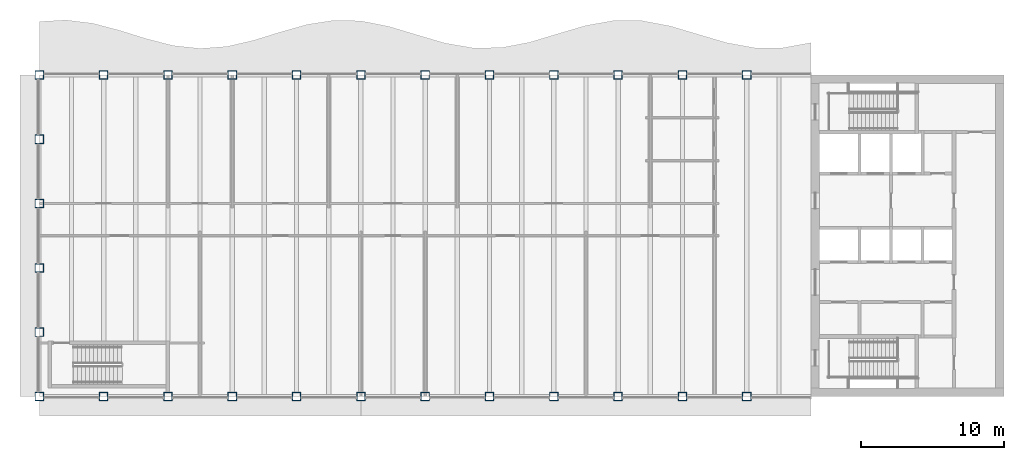
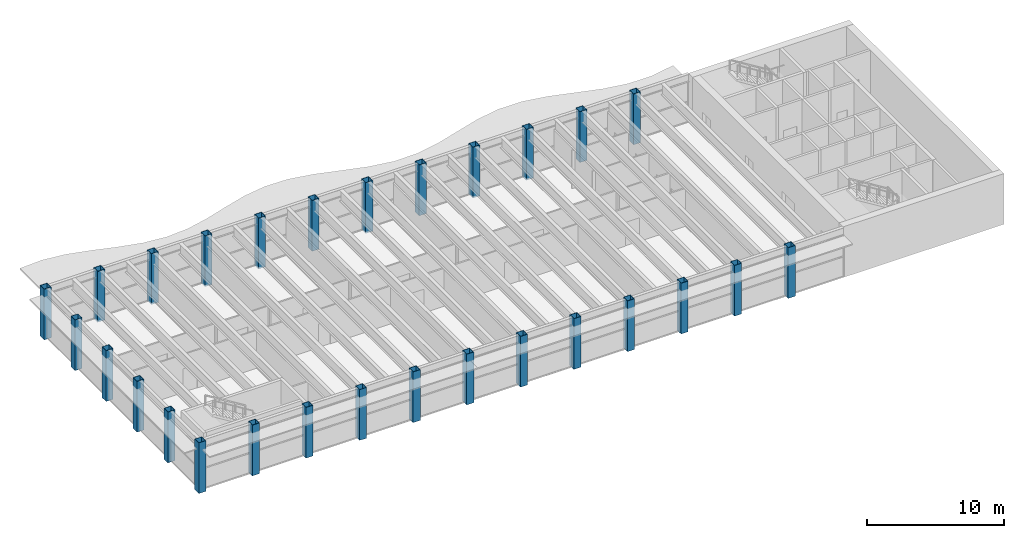
# One storey, part 1 of 15: 28 columns.
"""IFC4 building model written with IfcOpenShell, lengths in metres."""

from ifc_helpers import new_model, si_unit, direction, frame, origin, origin_2d, place, context, subcontext, project, spatial, hollow_rectangle, extrude, material, material_profile, profile_set, type_object, element, save


model = new_model("IFC4")

# Units and contexts
model_context = context("Model", 3, precision=1e-05, world=origin(), true_north=direction((0.0, 1.0)))
body_context = subcontext(model_context, "Body", "Model", "MODEL_VIEW")
ifc_project = project(units=[si_unit("LENGTHUNIT", "METRE"), si_unit("AREAUNIT", "SQUARE_METRE"), si_unit("VOLUMEUNIT", "CUBIC_METRE"), si_unit("PLANEANGLEUNIT", "RADIAN"), si_unit("MASSUNIT", "GRAM", prefix="KILO")], contexts=[model_context])

# Site, building, storey
site_placement = place(None, origin())
site = spatial("IfcSite", under=ifc_project, at=site_placement, CompositionType="ELEMENT")
building_placement = place(site_placement, origin())
building = spatial("IfcBuilding", under=site, at=building_placement, Name="Sennacour Bend Tower", CompositionType="ELEMENT")
storey_placement = place(building_placement, frame((0.0, 0.0, 318.5)))
storey = spatial("IfcBuildingStorey", under=building, at=storey_placement, Name="L73", CompositionType="ELEMENT", Elevation=318.5)

# Columns
ifc_material = material(Name="Steel ASTM A572 Grade 50", Category="steel")
ifc_material_profile = material_profile(ifc_material, hollow_rectangle(XDim=0.60009765625, YDim=0.60009765625, WallThickness=0.030029296875, at=origin_2d()), Name="Steel ASTM A572 Grade 50", Category="steel")
ifc_profile_set = profile_set([ifc_material_profile], Name="Steel ASTM A572 Grade 50")
column_type = type_object("IfcColumnType", Name="Box column 600", PredefinedType="COLUMN", material=ifc_profile_set)
for number, where, z_axis, x_axis, name in (
    (1, (0.0, 0.0, -0.14990234375), (0.0, 0.0, 1.0), (1.0, 0.0, 0.0), "Perimeter column C6 L73-001"),
    (2, (0.0, 4.5, -0.14990234375), (0.0, 0.0, 1.0), (1.0, 0.0, 0.0), "Perimeter column C6 L73-002"),
    (3, (0.0, 9.0, -0.14990234375), (0.0, 0.0, 1.0), (1.0, 0.0, 0.0), "Perimeter column C6 L73-003"),
    (4, (0.0, 13.5, -0.14990234375), (0.0, 0.0, 1.0), (1.0, 0.0, 0.0), "Perimeter column C6 L73-004"),
    (5, (0.0, 18.0, -0.14990234375), (0.0, 0.0, 1.0), (1.0, 0.0, 0.0), "Perimeter column C6 L73-005"),
    (6, (0.0, 22.5, -0.14990234375), (0.0, 0.0, 1.0), (1.0, 0.0, 0.0), "Perimeter column C6 L73-006"),
    (7, (4.5, 0.0, -0.14990234375), (0.0, 0.0, 1.0), (1.0, 0.0, 0.0), "Perimeter column C6 L73-007"),
    (8, (4.5, 22.5, -0.14990234375), (0.0, 0.0, 1.0), (1.0, 0.0, 0.0), "Perimeter column C6 L73-008"),
    (9, (9.0, 0.0, -0.14990234375), (0.0, 0.0, 1.0), (1.0, 0.0, 0.0), "Perimeter column C6 L73-009"),
    (10, (9.0, 22.5, -0.14990234375), (0.0, 0.0, 1.0), (1.0, 0.0, 0.0), "Perimeter column C6 L73-010"),
    (11, (13.5, 0.0, -0.14990234375), (0.0, 0.0, 1.0), (1.0, 0.0, 0.0), "Perimeter column C6 L73-011"),
    (12, (13.5, 22.5, -0.14990234375), (0.0, 0.0, 1.0), (1.0, 0.0, 0.0), "Perimeter column C6 L73-012"),
    (13, (18.0, 0.0, -0.14990234375), (0.0, 0.0, 1.0), (1.0, 0.0, 0.0), "Perimeter column C6 L73-013"),
    (14, (18.0, 22.5, -0.14990234375), (0.0, 0.0, 1.0), (1.0, 0.0, 0.0), "Perimeter column C6 L73-014"),
    (15, (22.5, 0.0, -0.14990234375), (0.0, 0.0, 1.0), (1.0, 0.0, 0.0), "Perimeter column C6 L73-015"),
    (16, (22.5, 22.5, -0.14990234375), (0.0, 0.0, 1.0), (1.0, 0.0, 0.0), "Perimeter column C6 L73-016"),
    (17, (27.0, 0.0, -0.14990234375), (0.0, 0.0, 1.0), (1.0, 0.0, 0.0), "Perimeter column C6 L73-017"),
    (18, (27.0, 22.5, -0.14990234375), (0.0, 0.0, 1.0), (1.0, 0.0, 0.0), "Perimeter column C6 L73-018"),
    (19, (31.5, 0.0, -0.14990234375), (0.0, 0.0, 1.0), (1.0, 0.0, 0.0), "Perimeter column C6 L73-019"),
    (20, (31.5, 22.5, -0.14990234375), (0.0, 0.0, 1.0), (1.0, 0.0, 0.0), "Perimeter column C6 L73-020"),
    (21, (36.0, 0.0, -0.14990234375), (0.0, 0.0, 1.0), (1.0, 0.0, 0.0), "Perimeter column C6 L73-021"),
    (22, (36.0, 22.5, -0.14990234375), (0.0, 0.0, 1.0), (1.0, 0.0, 0.0), "Perimeter column C6 L73-022"),
    (23, (40.5, 0.0, -0.14990234375), (0.0, 0.0, 1.0), (1.0, 0.0, 0.0), "Perimeter column C6 L73-023"),
    (24, (40.5, 22.5, -0.14990234375), (0.0, 0.0, 1.0), (1.0, 0.0, 0.0), "Perimeter column C6 L73-024"),
    (25, (45.0, 0.0, -0.14990234375), (0.0, 0.0, 1.0), (1.0, 0.0, 0.0), "Perimeter column C6 L73-025"),
    (26, (45.0, 22.5, -0.14990234375), (0.0, 0.0, 1.0), (1.0, 0.0, 0.0), "Perimeter column C6 L73-026"),
    (27, (49.5, 0.0, -0.14990234375), (0.0, 0.0, 1.0), (1.0, 0.0, 0.0), "Perimeter column C6 L73-027"),
    (28, (49.5, 22.5, -0.14990234375), (0.0, 0.0, 1.0), (1.0, 0.0, 0.0), "Perimeter column C6 L73-028"),
):
    element("IfcColumn", number, at=place(storey_placement, frame(where, z_axis=z_axis, x_axis=x_axis)), inside=storey, type_object=column_type, Name=name, PredefinedType="COLUMN", context=body_context, shape_type="SweptSolid", body=[
        extrude(hollow_rectangle(XDim=0.60009765625, YDim=0.60009765625, WallThickness=0.030029296875, at=origin_2d()), origin(), (0.0, 0.0, 1.0), 4.5),
    ])

save(model, "model.ifc")
